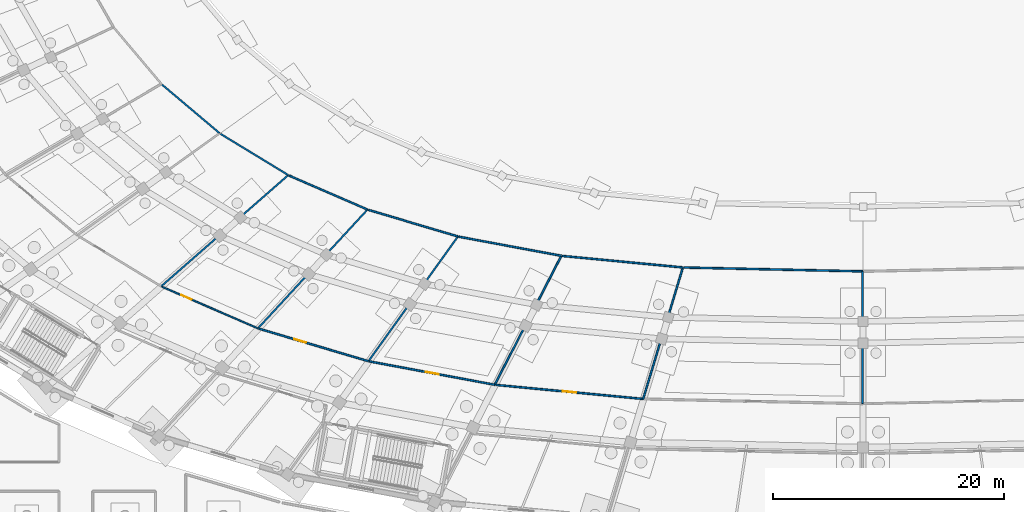
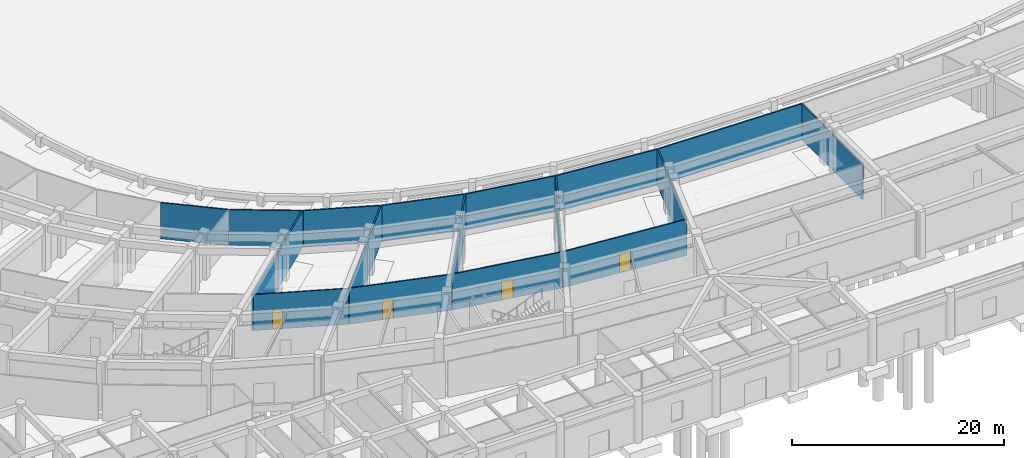
# One storey, part 44 of 88: 17 walls, 4 doors, 4 openings.
"""IFC4 building model written with IfcOpenShell, lengths in metres."""

from ifc_helpers import new_model, si_unit, direction, frame, frame_2d, origin, place, context, subcontext, project, spatial, rectangle, extrude, material, layer, layer_set, type_object, element, fill, save


model = new_model("IFC4")

# Units and contexts
model_context = context("Model", 3, precision=1e-05, world=origin(), true_north=direction((0.0, 1.0)))
body_context = subcontext(model_context, "Body", "Model", "MODEL_VIEW")
ifc_project = project(units=[si_unit("LENGTHUNIT", "METRE"), si_unit("AREAUNIT", "SQUARE_METRE"), si_unit("VOLUMEUNIT", "CUBIC_METRE"), si_unit("PLANEANGLEUNIT", "RADIAN"), si_unit("MASSUNIT", "GRAM", prefix="KILO")], contexts=[model_context])

# Site, building, storey
site_placement = place(None, origin())
site = spatial("IfcSite", under=ifc_project, at=site_placement, CompositionType="ELEMENT")
building_placement = place(site_placement, origin())
building = spatial("IfcBuilding", under=site, at=building_placement, Name="Mphavela Belvedere Stadium", CompositionType="ELEMENT")
storey_placement = place(building_placement, origin())
storey = spatial("IfcBuildingStorey", under=building, at=storey_placement, Name="L00", CompositionType="ELEMENT", Elevation=0.0)

# Wall, opening, door
ifc_material_1 = material(Name="Moisture-resistant sanitary partition assembly")
ifc_layer_1 = layer(ifc_material_1, 0.125)
ifc_layer_set_1 = layer_set([ifc_layer_1], Name="Moisture-resistant sanitary partition assembly")
wall_type_1 = type_object("IfcWallType", Name="WAL-PART-125", PredefinedType="PARTITIONING", material=ifc_layer_set_1)
wall_1_placement = place(storey_placement, frame((62.617919921875, 30.246826171875, 0.0), z_axis=(0.0, 0.0, 1.0), x_axis=(-0.917494590455, 0.397748257677, 0.0)))
wall_1 = element("IfcWall", 1, at=wall_1_placement, inside=storey, type_object=wall_type_1, Name="Room L00-115 corridor partition", PredefinedType="PARTITIONING", context=body_context, shape_type="SweptSolid", body=[
    extrude(rectangle(XDim=9.04931640625, YDim=0.125, at=frame_2d((4.524658203125, 0.0))), origin(), (0.0, 0.0, 1.0), 4.14990234375),
])
opening_1_placement = place(wall_1_placement, frame((6.263427734375, 0.0, 0.0)))
opening_1 = element("IfcOpeningElement", 2, at=opening_1_placement, cuts=wall_1, Name="Opening ID-051", PredefinedType="OPENING", context=body_context, shape_type="SweptSolid", body=[
    extrude(rectangle(XDim=0.97998046875, YDim=2.199951171875, at=frame_2d((0.489990234375, 1.10009765625))), frame((0.0, 0.072509765625, 0.0), z_axis=(0.0, -1.0, 0.0), x_axis=(1.0, 0.0, 0.0)), (0.0, 0.0, 1.0), 0.14501953125),
])
ifc_material_2 = material(Name="Hardwood acoustic timber doorset", Category="wood")
door_type_1 = type_object("IfcDoorType", Name="DR-INT-15", OperationType="NOTDEFINED", PredefinedType="DOOR", material=ifc_material_2)
door_1_placement = place(opening_1_placement, origin())
door_1 = element("IfcDoor", 3, at=door_1_placement, inside=storey, type_object=door_type_1, Name="Room L00-115 entrance door ID-051", OperationType="SINGLE_SWING_LEFT", OverallHeight=2.199951171875, OverallWidth=0.97998046875, PredefinedType="DOOR", context=body_context, shape_type="SweptSolid", body=[
    extrude(rectangle(XDim=0.97998046875, YDim=2.199951171875, at=frame_2d((0.489990234375, 1.10009765625))), frame((0.0, 0.02490234375, 0.0), z_axis=(0.0, -1.0, 0.0), x_axis=(1.0, 0.0, 0.0)), (0.0, 0.0, 1.0), 0.050048828125),
])
fill(opening_1, door_1)

ifc_material_3 = material(Name="Acoustic gypsum stud partition assembly")
ifc_layer_2 = layer(ifc_material_3, 0.14990234375)
ifc_layer_set_2 = layer_set([ifc_layer_2], Name="Acoustic gypsum stud partition assembly")
wall_type_2 = type_object("IfcWallType", Name="WAL-PART-150", PredefinedType="PARTITIONING", material=ifc_layer_set_2)
wall_2_placement = place(storey_placement, frame((72.183349609375, 27.404296875, 0.0), z_axis=(0.0, 0.0, 1.0), x_axis=(-0.958655809656, 0.284568161629, 0.0)))
wall_2 = element("IfcWall", 4, at=wall_2_placement, inside=storey, type_object=wall_type_2, Name="Room L00-118 corridor partition", PredefinedType="PARTITIONING", context=body_context, shape_type="SweptSolid", body=[
    extrude(rectangle(XDim=9.89111328125, YDim=0.14990234375, at=frame_2d((4.945556640625, 0.0))), origin(), (0.0, 0.0, 1.0), 4.14990234375),
])
opening_2_placement = place(wall_2_placement, frame((5.644287109375, 0.0, 0.0)))
opening_2 = element("IfcOpeningElement", 5, at=opening_2_placement, cuts=wall_2, Name="Opening ID-053", PredefinedType="OPENING", context=body_context, shape_type="SweptSolid", body=[
    extrude(rectangle(XDim=1.06005859375, YDim=2.199951171875, at=frame_2d((0.530029296875, 1.10009765625))), frame((0.0, 0.0849609375, 0.0), z_axis=(0.0, -1.0, 0.0), x_axis=(1.0, 0.0, 0.0)), (0.0, 0.0, 1.0), 0.169921875),
])
ifc_material_4 = material(Name="Hardwood acoustic timber doorset", Category="wood")
door_type_2 = type_object("IfcDoorType", Name="DR-INT-17", OperationType="NOTDEFINED", PredefinedType="DOOR", material=ifc_material_4)
door_2_placement = place(opening_2_placement, origin())
door_2 = element("IfcDoor", 6, at=door_2_placement, inside=storey, type_object=door_type_2, Name="Room L00-118 entrance door ID-053", OperationType="SINGLE_SWING_LEFT", OverallHeight=2.199951171875, OverallWidth=1.06005859375, PredefinedType="DOOR", context=body_context, shape_type="SweptSolid", body=[
    extrude(rectangle(XDim=1.06005859375, YDim=2.199951171875, at=frame_2d((0.530029296875, 1.10009765625))), frame((0.0, 0.02490234375, 0.0), z_axis=(0.0, -1.0, 0.0), x_axis=(1.0, 0.0, 0.0)), (0.0, 0.0, 1.0), 0.050048828125),
])
fill(opening_2, door_2)

wall_3_placement = place(storey_placement, frame((83.116455078125, 25.365478515625, 0.0), z_axis=(0.0, 0.0, 1.0), x_axis=(-0.983097372707, 0.183083466695, 0.0)))
wall_3 = element("IfcWall", 7, at=wall_3_placement, inside=storey, type_object=wall_type_2, Name="Room L00-121 corridor partition", PredefinedType="PARTITIONING", context=body_context, shape_type="SweptSolid", body=[
    extrude(rectangle(XDim=11.03466796875, YDim=0.14990234375, at=frame_2d((5.517333984375, 0.0))), origin(), (0.0, 0.0, 1.0), 4.14990234375),
])
opening_3_placement = place(wall_3_placement, frame((4.947265625, 0.0, 0.0)))
opening_3 = element("IfcOpeningElement", 8, at=opening_3_placement, cuts=wall_3, Name="Opening ID-055", PredefinedType="OPENING", context=body_context, shape_type="SweptSolid", body=[
    extrude(rectangle(XDim=1.139892578125, YDim=2.199951171875, at=frame_2d((0.56982421875, 1.10009765625))), frame((0.0, 0.0849609375, 0.0), z_axis=(0.0, -1.0, 0.0), x_axis=(1.0, 0.0, 0.0)), (0.0, 0.0, 1.0), 0.169921875),
])
ifc_material_5 = material(Name="Hardwood acoustic timber doorset", Category="wood")
door_type_3 = type_object("IfcDoorType", Name="DR-INT-19", OperationType="NOTDEFINED", PredefinedType="DOOR", material=ifc_material_5)
door_3_placement = place(opening_3_placement, origin())
door_3 = element("IfcDoor", 9, at=door_3_placement, inside=storey, type_object=door_type_3, Name="Room L00-121 entrance door ID-055", OperationType="SINGLE_SWING_LEFT", OverallHeight=2.199951171875, OverallWidth=1.139892578125, PredefinedType="DOOR", context=body_context, shape_type="SweptSolid", body=[
    extrude(rectangle(XDim=1.139892578125, YDim=2.199951171875, at=frame_2d((0.56982421875, 1.10009765625))), frame((0.0, 0.02490234375, 0.0), z_axis=(0.0, -1.0, 0.0), x_axis=(1.0, 0.0, 0.0)), (0.0, 0.0, 1.0), 0.050048828125),
])
fill(opening_3, door_3)

wall_4_placement = place(storey_placement, frame((95.965087890625, 24.1376953125, 0.0), z_axis=(0.0, 0.0, 1.0), x_axis=(-0.995485111947, 0.094917816515, 0.0)))
wall_4 = element("IfcWall", 10, at=wall_4_placement, inside=storey, type_object=wall_type_2, Name="Room L00-123 corridor partition", PredefinedType="PARTITIONING", context=body_context, shape_type="SweptSolid", body=[
    extrude(rectangle(XDim=12.822021484375, YDim=0.14990234375, at=frame_2d((6.4111328125, 0.0))), origin(), (0.0, 0.0, 1.0), 4.14990234375),
])
opening_4_placement = place(wall_4_placement, frame((5.821044921875, 0.0, 0.0)))
opening_4 = element("IfcOpeningElement", 11, at=opening_4_placement, cuts=wall_4, Name="Opening ID-056", PredefinedType="OPENING", context=body_context, shape_type="SweptSolid", body=[
    extrude(rectangle(XDim=1.179931640625, YDim=2.199951171875, at=frame_2d((0.58984375, 1.10009765625))), frame((0.0, 0.0849609375, 0.0), z_axis=(0.0, -1.0, 0.0), x_axis=(1.0, 0.0, 0.0)), (0.0, 0.0, 1.0), 0.169921875),
])
ifc_material_6 = material(Name="Hardwood acoustic timber doorset", Category="wood")
door_type_4 = type_object("IfcDoorType", Name="DR-INT-20", OperationType="NOTDEFINED", PredefinedType="DOOR", material=ifc_material_6)
door_4_placement = place(opening_4_placement, origin())
door_4 = element("IfcDoor", 12, at=door_4_placement, inside=storey, type_object=door_type_4, Name="Room L00-123 entrance door ID-056", OperationType="SINGLE_SWING_RIGHT", OverallHeight=2.199951171875, OverallWidth=1.179931640625, PredefinedType="DOOR", context=body_context, shape_type="SweptSolid", body=[
    extrude(rectangle(XDim=1.179931640625, YDim=2.199951171875, at=frame_2d((0.58984375, 1.10009765625))), frame((0.0, 0.02490234375, 0.0), z_axis=(0.0, -1.0, 0.0), x_axis=(1.0, 0.0, 0.0)), (0.0, 0.0, 1.0), 0.050048828125),
])
fill(opening_4, door_4)

# Walls
wall_5_placement = place(storey_placement, frame((54.314697265625, 51.350341796875, 0.0), z_axis=(0.0, 0.0, 1.0), x_axis=(0.764256908649, -0.644911914592, 0.0)))
element("IfcWall", 13, at=wall_5_placement, inside=storey, type_object=wall_type_2, Name="Room divider partition L00-0085", PredefinedType="PARTITIONING", context=body_context, shape_type="SweptSolid", body=[
    extrude(rectangle(XDim=6.525634765625, YDim=0.14990234375, at=frame_2d((3.2626953125, 0.0))), origin(), (0.0, 0.0, 1.0), 4.14990234375),
])
wall_6_placement = place(storey_placement, frame((59.368896484375, 47.09130859375, 0.0), z_axis=(0.0, 0.0, 1.0), x_axis=(0.8543356111, -0.519721717467, 0.0)))
element("IfcWall", 14, at=wall_6_placement, inside=storey, type_object=wall_type_2, Name="Room divider partition L00-0088", PredefinedType="PARTITIONING", context=body_context, shape_type="SweptSolid", body=[
    extrude(rectangle(XDim=6.878173828125, YDim=0.14990234375, at=frame_2d((3.43896484375, 0.0))), origin(), (0.0, 0.0, 1.0), 4.14990234375),
])
wall_7_placement = place(storey_placement, frame((65.2451171875, 43.5166015625, 0.0), z_axis=(0.0, 0.0, 1.0), x_axis=(-0.75255911769, -0.658524695346, 0.0)))
element("IfcWall", 15, at=wall_7_placement, inside=storey, type_object=wall_type_2, Name="Room divider partition L00-0089", PredefinedType="PARTITIONING", context=body_context, shape_type="SweptSolid", body=[
    extrude(rectangle(XDim=14.62744140625, YDim=0.14990234375, at=frame_2d((7.313720703125, 0.0))), origin(), (0.0, 0.0, 1.0), 4.14990234375),
])
wall_8_placement = place(storey_placement, frame((65.31982421875, 43.4755859375, 0.0), z_axis=(0.0, 0.0, 1.0), x_axis=(0.917502611666, -0.397729754463, 0.0)))
element("IfcWall", 16, at=wall_8_placement, inside=storey, type_object=wall_type_2, Name="Room divider partition L00-0090", PredefinedType="PARTITIONING", context=body_context, shape_type="SweptSolid", body=[
    extrude(rectangle(XDim=7.3935546875, YDim=0.14990234375, at=frame_2d((3.69677734375, 0.0))), origin(), (0.0, 0.0, 1.0), 4.14990234375),
])
wall_9_placement = place(storey_placement, frame((72.103515625, 40.534912109375, 0.0), z_axis=(0.0, 0.0, 1.0), x_axis=(-0.677851738249, -0.735198626871, 0.0)))
element("IfcWall", 17, at=wall_9_placement, inside=storey, type_object=wall_type_2, Name="Room divider partition L00-0091", PredefinedType="PARTITIONING", context=body_context, shape_type="SweptSolid", body=[
    extrude(rectangle(XDim=13.99365234375, YDim=0.14990234375, at=frame_2d((6.996826171875, 0.0))), origin(), (0.0, 0.0, 1.0), 4.14990234375),
])
wall_10_placement = place(storey_placement, frame((72.18359375, 40.503662109375, 0.0), z_axis=(0.0, 0.0, 1.0), x_axis=(0.958664246127, -0.284539739226, 0.0)))
element("IfcWall", 18, at=wall_10_placement, inside=storey, type_object=wall_type_2, Name="Room divider partition L00-0093", PredefinedType="PARTITIONING", context=body_context, shape_type="SweptSolid", body=[
    extrude(rectangle(XDim=8.08349609375, YDim=0.14990234375, at=frame_2d((4.041748046875, 0.0))), origin(), (0.0, 0.0, 1.0), 4.14990234375),
])
wall_11_placement = place(storey_placement, frame((79.932861328125, 38.20361328125, 0.0), z_axis=(0.0, 0.0, 1.0), x_axis=(-0.583015953896, -0.812460705205, 0.0)))
element("IfcWall", 19, at=wall_11_placement, inside=storey, type_object=wall_type_2, Name="Room divider partition L00-0094", PredefinedType="PARTITIONING", context=body_context, shape_type="SweptSolid", body=[
    extrude(rectangle(XDim=13.2919921875, YDim=0.14990234375, at=frame_2d((6.64599609375, 0.0))), origin(), (0.0, 0.0, 1.0), 4.14990234375),
])
wall_12_placement = place(storey_placement, frame((80.015869140625, 38.181884765625, 0.0), z_axis=(0.0, 0.0, 1.0), x_axis=(0.983094830755, -0.183097115603, 0.0)))
element("IfcWall", 20, at=wall_12_placement, inside=storey, type_object=wall_type_2, Name="Room divider partition L00-0097", PredefinedType="PARTITIONING", context=body_context, shape_type="SweptSolid", body=[
    extrude(rectangle(XDim=9.0205078125, YDim=0.14990234375, at=frame_2d((4.51025390625, 0.0))), origin(), (0.0, 0.0, 1.0), 4.14990234375),
])
wall_13_placement = place(storey_placement, frame((88.8837890625, 36.5302734375, 0.0), z_axis=(0.0, 0.0, 1.0), x_axis=(-0.45894823356, -0.88846300931, 0.0)))
element("IfcWall", 21, at=wall_13_placement, inside=storey, type_object=wall_type_2, Name="Room divider partition L00-0098", PredefinedType="PARTITIONING", context=body_context, shape_type="SweptSolid", body=[
    extrude(rectangle(XDim=12.56640625, YDim=0.14990234375, at=frame_2d((6.283203125, 0.0))), origin(), (0.0, 0.0, 1.0), 4.14990234375),
])
wall_14_placement = place(storey_placement, frame((88.96728515625, 36.517333984375, 0.0), z_axis=(0.0, 0.0, 1.0), x_axis=(0.99548363917, -0.094933261529, 0.0)))
element("IfcWall", 22, at=wall_14_placement, inside=storey, type_object=wall_type_2, Name="Room divider partition L00-0099", PredefinedType="PARTITIONING", context=body_context, shape_type="SweptSolid", body=[
    extrude(rectangle(XDim=10.48486328125, YDim=0.14990234375, at=frame_2d((5.242431640625, 0.0))), origin(), (0.0, 0.0, 1.0), 4.14990234375),
])
wall_15_placement = place(storey_placement, frame((99.40478515625, 35.52197265625, 0.0), z_axis=(0.0, 0.0, 1.0), x_axis=(-0.289230709122, -0.957259419855, 0.0)))
element("IfcWall", 23, at=wall_15_placement, inside=storey, type_object=wall_type_2, Name="Room divider partition L00-0100", PredefinedType="PARTITIONING", context=body_context, shape_type="SweptSolid", body=[
    extrude(rectangle(XDim=11.892578125, YDim=0.14990234375, at=frame_2d((5.9462890625, 0.0))), origin(), (0.0, 0.0, 1.0), 4.14990234375),
])
wall_16_placement = place(storey_placement, frame((99.48681640625, 35.5166015625, 0.0), z_axis=(0.0, 0.0, 1.0), x_axis=(0.999768149952, -0.021532448558, 0.0)))
element("IfcWall", 24, at=wall_16_placement, inside=storey, type_object=wall_type_2, Name="Room divider partition L00-0103", PredefinedType="PARTITIONING", context=body_context, shape_type="SweptSolid", body=[
    extrude(rectangle(XDim=15.476806640625, YDim=0.14990234375, at=frame_2d((7.73828125, 0.0))), origin(), (0.0, 0.0, 1.0), 4.14990234375),
])
wall_17_placement = place(storey_placement, frame((114.9599609375, 35.183349609375, 0.0), z_axis=(0.0, 0.0, 1.0), x_axis=(0.0, -1.0, 0.0)))
element("IfcWall", 25, at=wall_17_placement, inside=storey, type_object=wall_type_2, Name="Room divider partition L00-0104", PredefinedType="PARTITIONING", context=body_context, shape_type="SweptSolid", body=[
    extrude(rectangle(XDim=11.45703125, YDim=0.14990234375, at=frame_2d((5.728515625, 0.0))), origin(), (0.0, 0.0, 1.0), 4.14990234375),
])

save(model, "model.ifc")
